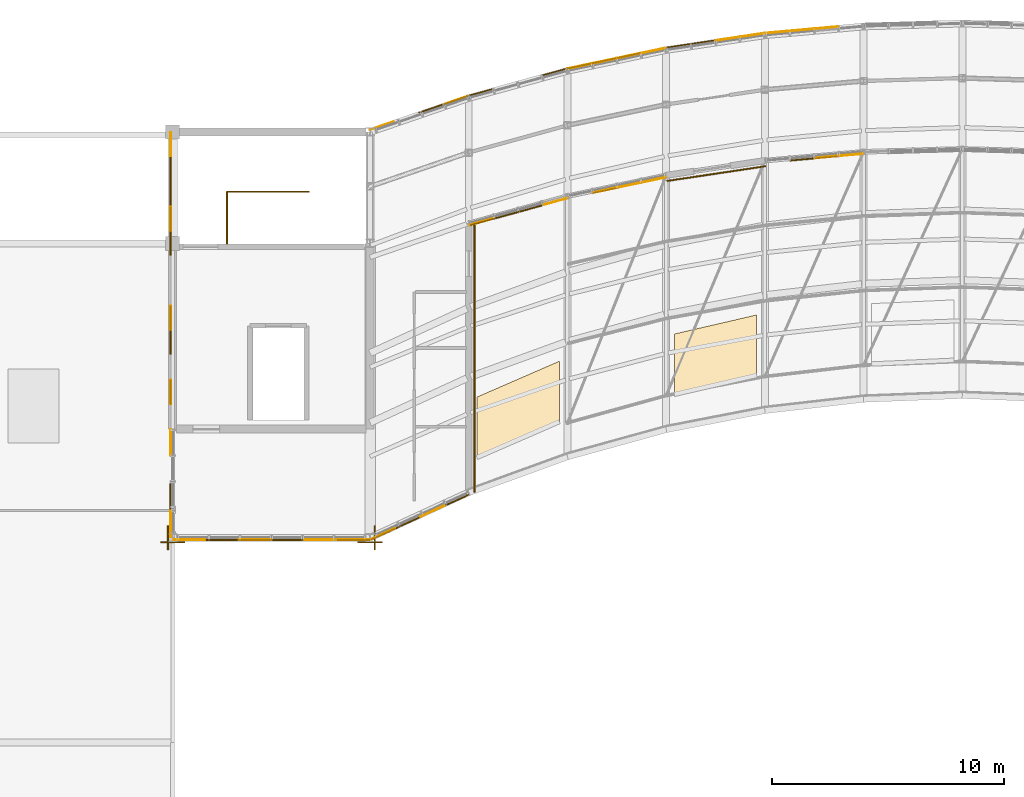
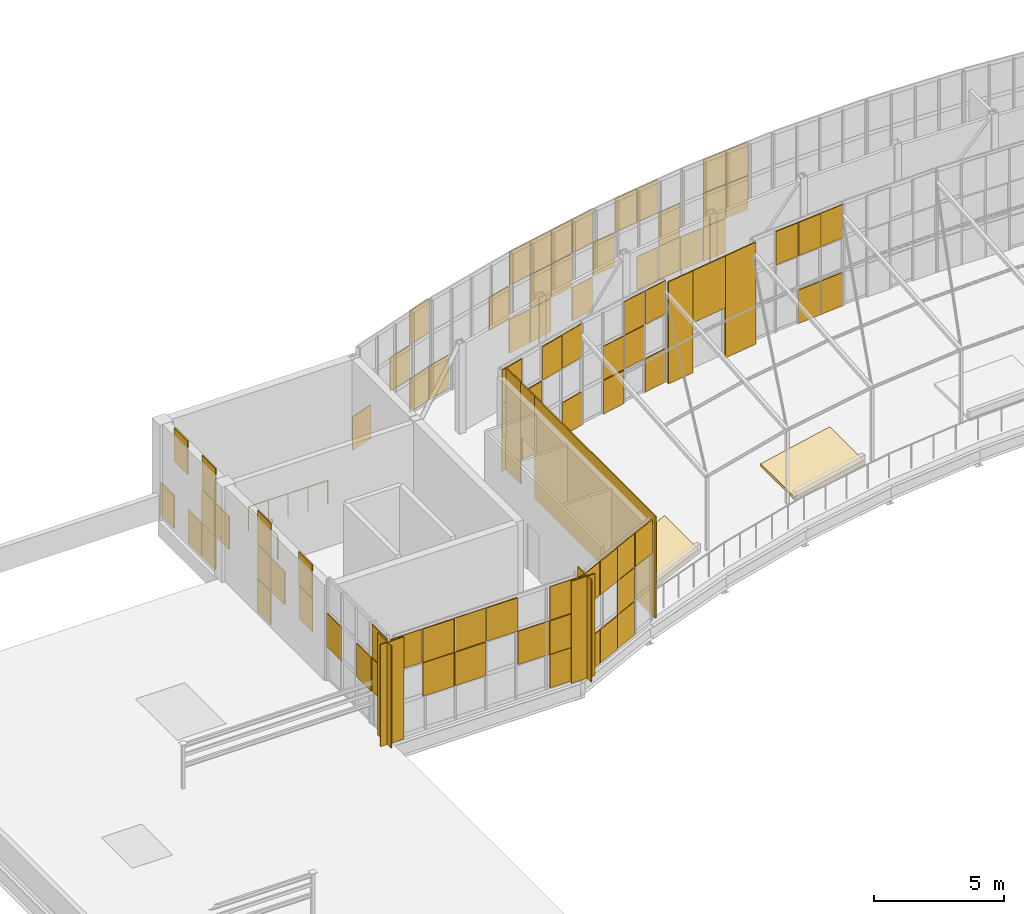
# One storey, part 33 of 35: 93 coverings, 1 railing.
"""IFC4 building model written with IfcOpenShell, lengths in metres."""

import ifcopenshell
import ifcopenshell.guid

model = None  # the IFC model being written
_history = None  # IfcOwnerHistory: only IFC2X3 demands one
_inside = {}  # id of a spatial element -> (the spatial element, [elements in it])
_under = {}  # id of a project, library or spatial element -> (it, [spatial elements below it])
_declared = {}  # id of a project -> (the project, [libraries it declares])
_typed = {}  # id of a type object -> (the type object, [elements of that type])
_made_of = {}  # id of a material, layer set ... -> (it, [elements and type objects made of it])


def new_model(schema):
    """Start an empty IFC model of exactly this schema.

    Asked for "IFC4X3", IfcOpenShell would pick the latest addendum, in which some entities
    have other attributes; the version numbers below select the first issue.
    IFC2X3 requires an IfcOwnerHistory on every rooted entity: one is made here for all.
    """
    global model, _history
    if schema == "IFC4X3":
        model = ifcopenshell.file(schema_version=(4, 3, 0, 0))
    else:
        model = ifcopenshell.file(schema=schema)
    _inside.clear()
    _under.clear()
    _declared.clear()
    _typed.clear()
    _made_of.clear()
    _history = None
    if model.schema == "IFC2X3":
        org = make("IfcOrganization", Name="unknown")
        user = make(
            "IfcPersonAndOrganization",
            ThePerson=make("IfcPerson", FamilyName="unknown"),
            TheOrganization=org,
        )
        app = make(
            "IfcApplication",
            ApplicationDeveloper=org,
            Version="unknown",
            ApplicationFullName="unknown",
            ApplicationIdentifier="unknown",
        )
        _history = make(
            "IfcOwnerHistory",
            OwningUser=user,
            OwningApplication=app,
            ChangeAction="ADDED",
            CreationDate=0,
        )
    return model


def make(cls, **values):
    """One entity of the class cls with the attributes given. An attribute that is None is left unset."""
    return model.create_entity(
        cls, **{name: value for name, value in values.items() if value is not None}
    )


def rooted(cls, **values):
    """An entity with a GlobalId (a new one), such as an element, a storey or a relation."""
    return make(cls, GlobalId=ifcopenshell.guid.new(), OwnerHistory=_history, **values)


def si_unit(unit_type, name, prefix=None):
    """IfcSIUnit, for example si_unit("LENGTHUNIT", "METRE", prefix="MILLI")."""
    return make("IfcSIUnit", UnitType=unit_type, Prefix=prefix, Name=name)


def assignment(units):
    """IfcUnitAssignment: the units of a project."""
    return None if units is None else make("IfcUnitAssignment", Units=units)


def point(xyz):
    """IfcCartesianPoint."""
    return None if xyz is None else make("IfcCartesianPoint", Coordinates=xyz)


def direction(xyz):
    """IfcDirection."""
    return None if xyz is None else make("IfcDirection", DirectionRatios=xyz)


def frame(location, z_axis=None, x_axis=None):
    """IfcAxis2Placement3D, a coordinate frame: its origin and axes. An axis left out is left unset."""
    return make(
        "IfcAxis2Placement3D",
        Location=point(location),
        Axis=direction(z_axis),
        RefDirection=direction(x_axis),
    )


def frame_2d(location, x_axis=None):
    """IfcAxis2Placement2D, a coordinate frame in the plane: its origin and x axis."""
    return make(
        "IfcAxis2Placement2D", Location=point(location), RefDirection=direction(x_axis)
    )


def origin():
    """The frame at (0, 0, 0) with its axes left unset."""
    return frame((0.0, 0.0, 0.0))


def origin_2d():
    """The frame at (0, 0) in the plane with its x axis left unset."""
    return frame_2d((0.0, 0.0))


def place(relative_to, where):
    """IfcLocalPlacement: puts the frame where relative to a parent placement (None: the world)."""
    return make(
        "IfcLocalPlacement", PlacementRelTo=relative_to, RelativePlacement=where
    )


def context(
    kind, dimensions, precision=None, world=None, true_north=None, identifier=None
):
    """IfcGeometricRepresentationContext, for example the 3D "Model" context."""
    return make(
        "IfcGeometricRepresentationContext",
        ContextIdentifier=identifier,
        ContextType=kind,
        CoordinateSpaceDimension=dimensions,
        Precision=precision,
        WorldCoordinateSystem=world,
        TrueNorth=true_north,
    )


def subcontext(parent, identifier, kind, view, scale=None):
    """IfcGeometricRepresentationSubContext, for example "Body" below "Model"."""
    return make(
        "IfcGeometricRepresentationSubContext",
        ContextIdentifier=identifier,
        ContextType=kind,
        ParentContext=parent,
        TargetScale=scale,
        TargetView=view,
    )


def project(units=None, contexts=None):
    """IfcProject with its units and contexts."""
    return rooted(
        "IfcProject",
        Name="project",
        RepresentationContexts=contexts,
        UnitsInContext=assignment(units),
    )


def spatial(cls, under=None, at=None, **own):
    """A site, building, storey or space (cls), placed at a placement, below another one or the project."""
    s = rooted(cls, ObjectPlacement=at, **own)
    if under is not None:
        _under.setdefault(under.id(), (under, []))[1].append(s)
    return s


def polyline(points):
    """IfcPolyline through the points."""
    return make("IfcPolyline", Points=[point(p) for p in points])


def profile(cls, at=None, kind="AREA", **sizes):
    """A parametric profile (cls). Its sizes go by their IFC names, for example OverallWidth=200.0."""
    return make(cls, ProfileType=kind, Position=at, **sizes)


def rectangle(**sizes):
    """IfcRectangleProfileDef."""
    return profile("IfcRectangleProfileDef", **sizes)


def circle(**sizes):
    """IfcCircleProfileDef."""
    return profile("IfcCircleProfileDef", **sizes)


def outline(outer, holes=None, kind="AREA"):
    """IfcArbitraryClosedProfileDef: a profile drawn as a closed curve; with holes, ...WithVoids."""
    if holes is None:
        return make("IfcArbitraryClosedProfileDef", ProfileType=kind, OuterCurve=outer)
    return make(
        "IfcArbitraryProfileDefWithVoids",
        ProfileType=kind,
        OuterCurve=outer,
        InnerCurves=holes,
    )


def extrude(swept, where, along, depth):
    """IfcExtrudedAreaSolid: the profile swept, set in the frame where, extruded along a direction by depth."""
    return make(
        "IfcExtrudedAreaSolid",
        SweptArea=swept,
        Position=where,
        ExtrudedDirection=direction(along),
        Depth=depth,
    )


def shape(context_of_items, identifier, shape_type, items):
    """IfcShapeRepresentation: the items that make up one representation, for example the "Body"."""
    return make(
        "IfcShapeRepresentation",
        ContextOfItems=context_of_items,
        RepresentationIdentifier=identifier,
        RepresentationType=shape_type,
        Items=items,
    )


def material(Name=None, Category=None):
    """IfcMaterial."""
    return make("IfcMaterial", Name=Name, Category=Category)


def layer(
    of_material, thickness, ventilated=None, Name=None, Category=None, Priority=None
):
    """IfcMaterialLayer: one layer of a wall or slab, of a material (None: an air gap)."""
    return make(
        "IfcMaterialLayer",
        Material=of_material,
        LayerThickness=thickness,
        IsVentilated=ventilated,
        Name=Name,
        Category=Category,
        Priority=Priority,
    )


def layer_set(layers, Name=None):
    """IfcMaterialLayerSet."""
    return make("IfcMaterialLayerSet", MaterialLayers=layers, LayerSetName=Name)


def made_of(thing, what):
    """Note that an element or type object is made of a material, layer set ...; save() writes the relation."""
    if what is not None:
        _made_of.setdefault(what.id(), (what, []))[1].append(thing)
    return thing


def type_object(cls, material=None, **own):
    """A type object (cls), such as IfcWallType, which elements share."""
    return made_of(rooted(cls, **own), material)


def element(
    cls,
    number,
    at=None,
    inside=None,
    cuts=None,
    type_object=None,
    material=None,
    context=None,
    identifier="Body",
    shape_type=None,
    held_by="IfcProductDefinitionShape",
    body=None,
    shapes=None,
    **own,
):
    """One element of the class cls, such as IfcWall. Its Tag is "e" and its number.

    at: its placement. inside: the storey or other place that contains it. cuts: it is an
    opening in that element (IfcRelVoidsElement). A single representation is given by context,
    identifier, shape_type and body (its items); several are given by shapes. held_by: the class
    of the entity that holds the representations. save() writes the other relations.
    """
    e = rooted(cls, Tag="e%d" % number, ObjectPlacement=at, **own)
    if body is not None:
        shapes = [shape(context, identifier, shape_type, body)]
    if shapes is not None:
        e.Representation = make(held_by, Representations=shapes)
    if inside is not None:
        _inside.setdefault(inside.id(), (inside, []))[1].append(e)
    if cuts is not None:
        rooted(
            "IfcRelVoidsElement", RelatingBuildingElement=cuts, RelatedOpeningElement=e
        )
    if type_object is not None:
        _typed.setdefault(type_object.id(), (type_object, []))[1].append(e)
    return made_of(e, material)


def aggregate(whole, parts):
    """IfcRelAggregates: a whole, such as a stair, and the parts it consists of."""
    return rooted("IfcRelAggregates", RelatingObject=whole, RelatedObjects=parts)


def save(model, path):
    """Write the relations noted so far, then the file.

    IfcRelAggregates (storeys below a building ...), IfcRelContainedInSpatialStructure (elements
    in a storey), IfcRelDefinesByType, IfcRelAssociatesMaterial and IfcRelDeclares: one each for
    every whole, place, type object, material and project.
    """
    for whole, parts in _under.values():
        aggregate(whole, parts)
    for where, things in _inside.values():
        rooted(
            "IfcRelContainedInSpatialStructure",
            RelatedElements=things,
            RelatingStructure=where,
        )
    for kind, things in _typed.values():
        rooted("IfcRelDefinesByType", RelatedObjects=things, RelatingType=kind)
    for what, things in _made_of.values():
        rooted("IfcRelAssociatesMaterial", RelatedObjects=things, RelatingMaterial=what)
    for by, libraries in _declared.values():
        rooted("IfcRelDeclares", RelatingContext=by, RelatedDefinitions=libraries)
    model.write(path)


model = new_model("IFC4")

# Units and contexts
model_context = context("Model", 3, precision=1e-05, world=origin(), true_north=direction((0.0, 1.0)))
body_context = subcontext(model_context, "Body", "Model", "MODEL_VIEW")
ifc_project = project(units=[si_unit("LENGTHUNIT", "METRE"), si_unit("AREAUNIT", "SQUARE_METRE"), si_unit("VOLUMEUNIT", "CUBIC_METRE"), si_unit("PLANEANGLEUNIT", "RADIAN"), si_unit("MASSUNIT", "GRAM", prefix="KILO")], contexts=[model_context])

# Site, building, storey
site_placement = place(None, origin())
site = spatial("IfcSite", under=ifc_project, at=site_placement, CompositionType="ELEMENT")
building_placement = place(site_placement, origin())
building = spatial("IfcBuilding", under=site, at=building_placement, Name="Solvikara Media Centre", CompositionType="ELEMENT")
storey_placement = place(building_placement, frame((0.0, 0.0, 29.39990234375)))
storey = spatial("IfcBuildingStorey", under=building, at=storey_placement, Name="L06", CompositionType="ELEMENT", Elevation=29.39990234375)

# Coverings
ifc_material_1 = material(Name="GFRC white mineral architectural rainscreen panel")
ifc_layer_1 = layer(ifc_material_1, 0.050048828125)
ifc_layer_set_1 = layer_set([ifc_layer_1], Name="GFRC white mineral architectural rainscreen panel")
covering_type_1 = type_object("IfcCoveringType", Name="CV-04", PredefinedType="CLADDING", material=ifc_layer_set_1)
for number, where, z_axis, x_axis, name in (
    (1, (67.800048828125, 19.323974609375, 0.0), (0.0, 0.0, 1.0), (0.0, -1.0, 0.0), "PIL-L06-169"),
    (2, (68.0, 19.1240234375, 0.0), (0.0, 0.0, 1.0), (1.0, 0.0, 0.0), "PIL-L06-170"),
    (3, (76.699951171875, 19.323974609375, 0.0), (0.0, 0.0, 1.0), (0.0, 1.0, 0.0), "PIL-L06-183"),
    (4, (76.5, 19.1240234375, 0.0), (0.0, 0.0, 1.0), (1.0, 0.0, 0.0), "PIL-L06-184"),
):
    element("IfcCovering", number, at=place(storey_placement, frame(where, z_axis=z_axis, x_axis=x_axis)), inside=storey, type_object=covering_type_1, Name=name, PredefinedType="CLADDING", context=body_context, shape_type="SweptSolid", body=[
        extrude(rectangle(XDim=1.0400390625, YDim=0.050048828125, at=origin_2d()), origin(), (0.0, 0.0, 1.0), 4.800048828125),
    ])
for number, where, z_axis, x_axis, name in (
    (5, (79.1259765625, 37.802001953125, 1.615234375), (0.0, 0.0, 1.0), (0.945807995037, 0.324726402566, 0.0), "CW-L06-NARC-00-SF-21"),
    (6, (80.18798828125, 38.166015625, 3.21484375), (0.0, 0.0, 1.0), (0.945807995037, 0.324726402566, 0.0), "CW-L06-NARC-00-SF-32"),
):
    element("IfcCovering", number, at=place(storey_placement, frame(where, z_axis=z_axis, x_axis=x_axis)), inside=storey, type_object=covering_type_1, Name=name, PredefinedType="CLADDING", context=body_context, shape_type="SweptSolid", body=[
        extrude(rectangle(XDim=1.093017578125, YDim=0.050048828125, at=origin_2d()), origin(), (0.0, 0.0, 1.0), 1.570068359375),
    ])
covering_1_placement = place(storey_placement, frame((81.256103515625, 38.4970703125, 0.01513671875), z_axis=(0.0, 0.0, 1.0), x_axis=(0.964289807992, 0.26484932736, 0.0)))
element("IfcCovering", 7, at=covering_1_placement, inside=storey, type_object=covering_type_1, Name="CW-L06-NARC-01-SF-00", PredefinedType="CLADDING", context=body_context, shape_type="SweptSolid", body=[
    extrude(rectangle(XDim=1.072021484375, YDim=0.050048828125, at=origin_2d()), origin(), (0.0, 0.0, 1.0), 1.570068359375),
])
covering_2_placement = place(storey_placement, frame((84.444091796875, 39.3759765625, 1.615234375), z_axis=(0.0, 0.0, 1.0), x_axis=(0.964049041264, 0.265724379832, 0.0)))
element("IfcCovering", 8, at=covering_2_placement, inside=storey, type_object=covering_type_1, Name="CW-L06-NARC-01-SF-31", PredefinedType="CLADDING", context=body_context, shape_type="SweptSolid", body=[
    extrude(rectangle(XDim=1.072998046875, YDim=0.050048828125, at=origin_2d()), origin(), (0.0, 0.0, 1.0), 1.570068359375),
])
for number, where, z_axis, x_axis, name in (
    (9, (85.511962890625, 39.635009765625, 0.01513671875), (0.0, 0.0, 1.0), (0.978447760018, 0.206494505776, 0.0), "CW-L06-NARC-02-SF-00"),
    (10, (86.574951171875, 39.860107421875, 1.615234375), (0.0, 0.0, 1.0), (0.978447760018, 0.206494505776, 0.0), "CW-L06-NARC-02-SF-11"),
    (11, (87.636962890625, 40.083984375, 3.21484375), (0.0, 0.0, 1.0), (0.978447760018, 0.206494505776, 0.0), "CW-L06-NARC-02-SF-22"),
):
    element("IfcCovering", number, at=place(storey_placement, frame(where, z_axis=z_axis, x_axis=x_axis)), inside=storey, type_object=covering_type_1, Name=name, PredefinedType="CLADDING", context=body_context, shape_type="SweptSolid", body=[
        extrude(rectangle(XDim=1.055908203125, YDim=0.050048828125, at=origin_2d()), origin(), (0.0, 0.0, 1.0), 1.570068359375),
    ])
covering_3_placement = place(storey_placement, frame((89.76806640625, 40.501953125, 1.615234375), z_axis=(0.0, 0.0, 1.0), x_axis=(0.988930567215, 0.148379018826, 0.0)))
element("IfcCovering", 12, at=covering_3_placement, inside=storey, type_object=covering_type_1, Name="CW-L06-NARC-03-SF-01", PredefinedType="CLADDING", context=body_context, shape_type="SweptSolid", body=[
    extrude(rectangle(XDim=1.044921875, YDim=0.050048828125, at=origin_2d()), origin(), (0.0, 0.0, 1.0), 1.570068359375),
])
covering_4_placement = place(storey_placement, frame((90.8291015625, 40.659912109375, 3.21484375), z_axis=(0.0, 0.0, 1.0), x_axis=(0.989069971909, 0.147446907963, 0.0)))
element("IfcCovering", 13, at=covering_4_placement, inside=storey, type_object=covering_type_1, Name="CW-L06-NARC-03-SF-12", PredefinedType="CLADDING", context=body_context, shape_type="SweptSolid", body=[
    extrude(rectangle(XDim=1.0439453125, YDim=0.050048828125, at=origin_2d()), origin(), (0.0, 0.0, 1.0), 1.570068359375),
])
for number, where, z_axis, x_axis, name in (
    (14, (81.305908203125, 32.916015625, 1.615234375), (0.0, 0.0, 1.0), (0.964049041264, 0.265724379832, 0.0), "CW-L06-GALS-01-SF-01"),
    (15, (81.305908203125, 32.916015625, 3.21484375), (0.0, 0.0, 1.0), (0.964049041264, 0.265724379832, 0.0), "CW-L06-GALS-01-SF-02"),
    (16, (82.368896484375, 33.208984375, 0.01513671875), (0.0, 0.0, 1.0), (0.964049041264, 0.265724379832, 0.0), "CW-L06-GALS-01-SF-10"),
    (17, (82.368896484375, 33.208984375, 1.615234375), (0.0, 0.0, 1.0), (0.964049041264, 0.265724379832, 0.0), "CW-L06-GALS-01-SF-11"),
    (18, (83.430908203125, 33.501953125, 3.21484375), (0.0, 0.0, 1.0), (0.964049041264, 0.265724379832, 0.0), "CW-L06-GALS-01-SF-22"),
):
    element("IfcCovering", number, at=place(storey_placement, frame(where, z_axis=z_axis, x_axis=x_axis)), inside=storey, type_object=covering_type_1, Name=name, PredefinedType="CLADDING", context=body_context, shape_type="SweptSolid", body=[
        extrude(rectangle(XDim=1.072998046875, YDim=0.050048828125, at=origin_2d()), origin(), (0.0, 0.0, 1.0), 1.570068359375),
    ])
covering_5_placement = place(storey_placement, frame((86.613037109375, 34.27587890625, 0.01513671875), z_axis=(0.0, 0.0, 1.0), x_axis=(0.978447760018, 0.206494505776, 0.0)))
element("IfcCovering", 19, at=covering_5_placement, inside=storey, type_object=covering_type_1, Name="CW-L06-GALS-02-SF-10", PredefinedType="CLADDING", context=body_context, shape_type="SweptSolid", body=[
    extrude(rectangle(XDim=1.055908203125, YDim=0.050048828125, at=origin_2d()), origin(), (0.0, 0.0, 1.0), 1.570068359375),
])
covering_6_placement = place(storey_placement, frame((89.8798828125, 34.77490234375, 0.0), z_axis=(0.0, 0.0, 1.0), x_axis=(0.989064824438, 0.147481432928, 0.0)))
element("IfcCovering", 20, at=covering_6_placement, inside=storey, type_object=covering_type_1, Name="L06-GALS03-CV-F01", PredefinedType="CLADDING", context=body_context, shape_type="SweptSolid", body=[
    extrude(rectangle(XDim=1.199951171875, YDim=0.050048828125, at=origin_2d()), origin(), (0.0, 0.0, 1.0), 4.800048828125),
])
covering_7_placement = place(storey_placement, frame((91.263916015625, 34.98193359375, 2.35009765625), z_axis=(0.0, 0.0, 1.0), x_axis=(0.989054525882, 0.14755048232, 0.0)))
element("IfcCovering", 21, at=covering_7_placement, inside=storey, type_object=covering_type_1, Name="L06-GALS03-CV-D02", PredefinedType="CLADDING", context=body_context, shape_type="SweptSolid", body=[
    extrude(rectangle(XDim=1.60009765625, YDim=0.050048828125, at=origin_2d()), origin(), (0.0, 0.0, 1.0), 2.449951171875),
])
covering_8_placement = place(storey_placement, frame((92.7958984375, 35.2109375, 0.0), z_axis=(0.0, 0.0, 1.0), x_axis=(0.988951275194, 0.148240936625, 0.0)))
element("IfcCovering", 22, at=covering_8_placement, inside=storey, type_object=covering_type_1, Name="L06-GALS03-CV-F03", PredefinedType="CLADDING", context=body_context, shape_type="SweptSolid", body=[
    extrude(rectangle(XDim=1.498046875, YDim=0.050048828125, at=origin_2d()), origin(), (0.0, 0.0, 1.0), 4.800048828125),
])
covering_9_placement = place(storey_placement, frame((95.10205078125, 35.612060546875, 3.21484375), z_axis=(0.0, 0.0, 1.0), x_axis=(0.996050368938, 0.088789991203, 0.0)))
element("IfcCovering", 23, at=covering_9_placement, inside=storey, type_object=covering_type_1, Name="CW-L06-GALS-04-SF-12", PredefinedType="CLADDING", context=body_context, shape_type="SweptSolid", body=[
    extrude(rectangle(XDim=1.035888671875, YDim=0.050048828125, at=origin_2d()), origin(), (0.0, 0.0, 1.0), 1.570068359375),
])
covering_10_placement = place(storey_placement, frame((96.1650390625, 35.7060546875, 3.21484375), z_axis=(0.0, 0.0, 1.0), x_axis=(0.996058113534, 0.088703069073, 0.0)))
element("IfcCovering", 24, at=covering_10_placement, inside=storey, type_object=covering_type_1, Name="CW-L06-GALS-04-SF-22", PredefinedType="CLADDING", context=body_context, shape_type="SweptSolid", body=[
    extrude(rectangle(XDim=1.037109375, YDim=0.050048828125, at=origin_2d()), origin(), (0.0, 0.0, 1.0), 1.570068359375),
])
for number, where, z_axis, x_axis, name in (
    (25, (70.125, 19.22998046875, 1.615234375), (0.0, 0.0, 1.0), (1.0, 0.0, 0.0), "CW-L06-BHWS-SF-11"),
    (26, (70.125, 19.22998046875, 3.21484375), (0.0, 0.0, 1.0), (1.0, 0.0, 0.0), "CW-L06-BHWS-SF-12"),
):
    element("IfcCovering", number, at=place(storey_placement, frame(where, z_axis=z_axis, x_axis=x_axis)), inside=storey, type_object=covering_type_1, Name=name, PredefinedType="CLADDING", context=body_context, shape_type="SweptSolid", body=[
        extrude(rectangle(XDim=1.385986328125, YDim=0.050048828125, at=origin_2d()), origin(), (0.0, 0.0, 1.0), 1.570068359375),
    ])
for number, where, z_axis, x_axis, name in (
    (27, (71.541015625, 19.22998046875, 1.615234375), (0.0, 0.0, 1.0), (1.0, 0.0, 0.0), "CW-L06-BHWS-SF-21"),
    (28, (72.958984375, 19.22998046875, 3.21484375), (0.0, 0.0, 1.0), (1.0, 0.0, 0.0), "CW-L06-BHWS-SF-32"),
    (29, (75.791015625, 19.22998046875, 1.615234375), (0.0, 0.0, 1.0), (1.0, 0.0, 0.0), "CW-L06-BHWS-SF-51"),
):
    element("IfcCovering", number, at=place(storey_placement, frame(where, z_axis=z_axis, x_axis=x_axis)), inside=storey, type_object=covering_type_1, Name=name, PredefinedType="CLADDING", context=body_context, shape_type="SweptSolid", body=[
        extrude(rectangle(XDim=1.386962890625, YDim=0.050048828125, at=origin_2d()), origin(), (0.0, 0.0, 1.0), 1.570068359375),
    ])
for number, where, z_axis, x_axis, name in (
    (30, (77.06396484375, 19.47998046875, 0.01513671875), (0.0, 0.0, 1.0), (0.908522763286, 0.417835360629, 0.0), "CW-L06-SARC-00-SF-00"),
    (31, (78.1259765625, 19.968994140625, 0.01513671875), (0.0, 0.0, 1.0), (0.908522763286, 0.417835360629, 0.0), "CW-L06-SARC-00-SF-10"),
    (32, (78.1259765625, 19.968994140625, 3.21484375), (0.0, 0.0, 1.0), (0.908522763286, 0.417835360629, 0.0), "CW-L06-SARC-00-SF-12"),
    (33, (80.2509765625, 20.946044921875, 3.21484375), (0.0, 0.0, 1.0), (0.908522763286, 0.417835360629, 0.0), "CW-L06-SARC-00-SF-32"),
):
    element("IfcCovering", number, at=place(storey_placement, frame(where, z_axis=z_axis, x_axis=x_axis)), inside=storey, type_object=covering_type_1, Name=name, PredefinedType="CLADDING", context=body_context, shape_type="SweptSolid", body=[
        extrude(rectangle(XDim=1.138916015625, YDim=0.050048828125, at=origin_2d()), origin(), (0.0, 0.0, 1.0), 1.570068359375),
    ])
covering_11_placement = place(storey_placement, frame((80.9951171875, 25.928955078125, 0.0), z_axis=(0.0, 0.0, 1.0), x_axis=(0.0, 1.0, 0.0)))
element("IfcCovering", 34, at=covering_11_placement, inside=storey, type_object=covering_type_1, Name="L06-PAVWE-CV-F01", PredefinedType="CLADDING", context=body_context, shape_type="SweptSolid", body=[
    extrude(rectangle(XDim=9.300048828125, YDim=0.050048828125, at=origin_2d()), origin(), (0.0, 0.0, 1.0), 4.800048828125),
])
covering_12_placement = place(storey_placement, frame((80.9951171875, 31.12890625, 2.25), z_axis=(0.0, 0.0, 1.0), x_axis=(0.0, 1.0, 0.0)))
element("IfcCovering", 35, at=covering_12_placement, inside=storey, type_object=covering_type_1, Name="L06-PAVWE-CV-D02", PredefinedType="CLADDING", context=body_context, shape_type="SweptSolid", body=[
    extrude(rectangle(XDim=1.10009765625, YDim=0.050048828125, at=origin_2d()), origin(), (0.0, 0.0, 1.0), 2.550048828125),
])
covering_13_placement = place(storey_placement, frame((80.9951171875, 32.27001953125, 0.0), z_axis=(0.0, 0.0, 1.0), x_axis=(0.0, 1.0, 0.0)))
element("IfcCovering", 36, at=covering_13_placement, inside=storey, type_object=covering_type_1, Name="L06-PAVWE-CV-F03", PredefinedType="CLADDING", context=body_context, shape_type="SweptSolid", body=[
    extrude(rectangle(XDim=1.180908203125, YDim=0.050048828125, at=origin_2d()), origin(), (0.0, 0.0, 1.0), 4.800048828125),
])
covering_14_placement = place(storey_placement, frame((67.906005859375, 21.077880859375, 1.615234375), z_axis=(0.0, 0.0, 1.0), x_axis=(0.0, 1.0, 0.0)))
element("IfcCovering", 37, at=covering_14_placement, inside=storey, type_object=covering_type_1, Name="CW-L06-BHWW-SF-11", PredefinedType="CLADDING", context=body_context, shape_type="SweptSolid", body=[
    extrude(rectangle(XDim=1.138916015625, YDim=0.050048828125, at=origin_2d()), origin(), (0.0, 0.0, 1.0), 1.570068359375),
])
covering_15_placement = place(storey_placement, frame((67.906005859375, 25.60009765625, 3.21484375), z_axis=(0.0, 0.0, 1.0), x_axis=(0.0, 1.0, 0.0)))
element("IfcCovering", 38, at=covering_15_placement, inside=storey, type_object=covering_type_1, Name="SHM-L06-C3W-SF-12", PredefinedType="CLADDING", context=body_context, shape_type="SweptSolid", body=[
    extrude(rectangle(XDim=1.035888671875, YDim=0.050048828125, at=origin_2d()), origin(), (0.0, 0.0, 1.0), 1.570068359375),
])
covering_16_placement = place(storey_placement, frame((67.906005859375, 27.73291015625, 1.615234375), z_axis=(0.0, 0.0, 1.0), x_axis=(0.0, 1.0, 0.0)))
element("IfcCovering", 39, at=covering_16_placement, inside=storey, type_object=covering_type_1, Name="SHM-L06-C3W-SF-31", PredefinedType="CLADDING", context=body_context, shape_type="SweptSolid", body=[
    extrude(rectangle(XDim=1.037109375, YDim=0.050048828125, at=origin_2d()), origin(), (0.0, 0.0, 1.0), 1.570068359375),
])
for number, where, z_axis, x_axis, name in (
    (40, (67.906005859375, 28.800048828125, 0.01513671875), (0.0, 0.0, 1.0), (0.0, 1.0, 0.0), "SHM-L06-C3W-SF-40"),
    (41, (67.906005859375, 32.0, 1.615234375), (0.0, 0.0, 1.0), (0.0, 1.0, 0.0), "SHM-L06-C3W-SF-71"),
):
    element("IfcCovering", number, at=place(storey_placement, frame(where, z_axis=z_axis, x_axis=x_axis)), inside=storey, type_object=covering_type_1, Name=name, PredefinedType="CLADDING", context=body_context, shape_type="SweptSolid", body=[
        extrude(rectangle(XDim=1.035888671875, YDim=0.050048828125, at=origin_2d()), origin(), (0.0, 0.0, 1.0), 1.570068359375),
    ])
for number, where, z_axis, x_axis, name in (
    (42, (67.906005859375, 33.06689453125, 1.615234375), (0.0, 0.0, 1.0), (0.0, 1.0, 0.0), "SHM-L06-C3W-SF-81"),
    (43, (67.906005859375, 34.133056640625, 0.01513671875), (0.0, 0.0, 1.0), (0.0, 1.0, 0.0), "SHM-L06-C3W-SF-90"),
):
    element("IfcCovering", number, at=place(storey_placement, frame(where, z_axis=z_axis, x_axis=x_axis)), inside=storey, type_object=covering_type_1, Name=name, PredefinedType="CLADDING", context=body_context, shape_type="SweptSolid", body=[
        extrude(rectangle(XDim=1.037109375, YDim=0.050048828125, at=origin_2d()), origin(), (0.0, 0.0, 1.0), 1.570068359375),
    ])
covering_17_placement = place(storey_placement, frame((67.906005859375, 35.199951171875, 3.21484375), z_axis=(0.0, 0.0, 1.0), x_axis=(0.0, 1.0, 0.0)))
element("IfcCovering", 44, at=covering_17_placement, inside=storey, type_object=covering_type_1, Name="SHM-L06-C3W-SF-102", PredefinedType="CLADDING", context=body_context, shape_type="SweptSolid", body=[
    extrude(rectangle(XDim=1.035888671875, YDim=0.050048828125, at=origin_2d()), origin(), (0.0, 0.0, 1.0), 1.570068359375),
])
ifc_material_2 = material(Name="Insulated silver-pearl glass spandrel panel", Category="glass")
ifc_layer_2 = layer(ifc_material_2, 0.034912109375)
ifc_layer_set_2 = layer_set([ifc_layer_2], Name="Insulated silver-pearl glass spandrel panel")
covering_type_2 = type_object("IfcCoveringType", Name="CV-06", PredefinedType="CLADDING", material=ifc_layer_set_2)
covering_18_placement = place(storey_placement, frame((77.00390625, 37.06201171875, 0.01513671875), z_axis=(0.0, 0.0, 1.0), x_axis=(0.945529939496, 0.325535149434, 0.0)))
element("IfcCovering", 45, at=covering_18_placement, inside=storey, type_object=covering_type_2, Name="CW-L06-NARC-00-PX-00", PredefinedType="CLADDING", context=body_context, shape_type="SweptSolid", body=[
    extrude(rectangle(XDim=1.093994140625, YDim=0.034912109375, at=origin_2d()), origin(), (0.0, 0.0, 1.0), 1.570068359375),
])
covering_19_placement = place(storey_placement, frame((80.19189453125, 38.156982421875, 0.01513671875), z_axis=(0.0, 0.0, 1.0), x_axis=(0.945626486098, 0.325254590729, 0.0)))
element("IfcCovering", 46, at=covering_19_placement, inside=storey, type_object=covering_type_2, Name="CW-L06-NARC-00-PX-30", PredefinedType="CLADDING", context=body_context, shape_type="SweptSolid", body=[
    extrude(rectangle(XDim=1.094970703125, YDim=0.034912109375, at=origin_2d()), origin(), (0.0, 0.0, 1.0), 1.570068359375),
])
for number, where, z_axis, x_axis, name in (
    (47, (85.512939453125, 39.6259765625, 3.21484375), (0.0, 0.0, 1.0), (0.978256328953, 0.207399505455, 0.0), "CW-L06-NARC-02-PX-02"),
    (48, (86.576904296875, 39.85009765625, 0.01513671875), (0.0, 0.0, 1.0), (0.978447760018, 0.206494505776, 0.0), "CW-L06-NARC-02-PX-10"),
    (49, (86.576904296875, 39.85009765625, 3.21484375), (0.0, 0.0, 1.0), (0.978447760018, 0.206494505776, 0.0), "CW-L06-NARC-02-PX-12"),
    (50, (87.637939453125, 40.074951171875, 1.615234375), (0.0, 0.0, 1.0), (0.978256328953, 0.207399505455, 0.0), "CW-L06-NARC-02-PX-21"),
    (51, (88.701904296875, 40.299072265625, 0.01513671875), (0.0, 0.0, 1.0), (0.978447760018, 0.206494505776, 0.0), "CW-L06-NARC-02-PX-30"),
    (52, (88.701904296875, 40.299072265625, 3.21484375), (0.0, 0.0, 1.0), (0.978447760018, 0.206494505776, 0.0), "CW-L06-NARC-02-PX-32"),
):
    element("IfcCovering", number, at=place(storey_placement, frame(where, z_axis=z_axis, x_axis=x_axis)), inside=storey, type_object=covering_type_2, Name=name, PredefinedType="CLADDING", context=body_context, shape_type="SweptSolid", body=[
        extrude(rectangle(XDim=1.055908203125, YDim=0.034912109375, at=origin_2d()), origin(), (0.0, 0.0, 1.0), 1.570068359375),
    ])
for number, where, z_axis, x_axis, name in (
    (53, (91.89306640625, 40.80908203125, 0.01513671875), (0.0, 0.0, 1.0), (0.989069971909, 0.147446907963, 0.0), "CW-L06-NARC-03-PX-20"),
    (54, (91.89306640625, 40.80908203125, 3.21484375), (0.0, 0.0, 1.0), (0.989069971909, 0.147446907963, 0.0), "CW-L06-NARC-03-PX-22"),
    (55, (92.95703125, 40.968017578125, 0.01513671875), (0.0, 0.0, 1.0), (0.989069971909, 0.147446907963, 0.0), "CW-L06-NARC-03-PX-30"),
    (56, (92.95703125, 40.968017578125, 1.615234375), (0.0, 0.0, 1.0), (0.989069971909, 0.147446907963, 0.0), "CW-L06-NARC-03-PX-31"),
):
    element("IfcCovering", number, at=place(storey_placement, frame(where, z_axis=z_axis, x_axis=x_axis)), inside=storey, type_object=covering_type_2, Name=name, PredefinedType="CLADDING", context=body_context, shape_type="SweptSolid", body=[
        extrude(rectangle(XDim=1.0439453125, YDim=0.034912109375, at=origin_2d()), origin(), (0.0, 0.0, 1.0), 1.570068359375),
    ])
covering_20_placement = place(storey_placement, frame((94.02392578125, 41.094970703125, 0.01513671875), z_axis=(0.0, 0.0, 1.0), x_axis=(0.996050368938, 0.088789991203, 0.0)))
element("IfcCovering", 57, at=covering_20_placement, inside=storey, type_object=covering_type_2, Name="CW-L06-NARC-04-PX-00", PredefinedType="CLADDING", context=body_context, shape_type="SweptSolid", body=[
    extrude(rectangle(XDim=1.035888671875, YDim=0.034912109375, at=origin_2d()), origin(), (0.0, 0.0, 1.0), 1.570068359375),
])
for number, where, z_axis, x_axis, name in (
    (58, (95.0869140625, 41.18896484375, 0.01513671875), (0.0, 0.0, 1.0), (0.996058113534, 0.088703069073, 0.0), "CW-L06-NARC-04-PX-10"),
    (59, (95.0869140625, 41.18896484375, 1.615234375), (0.0, 0.0, 1.0), (0.996058113534, 0.088703069073, 0.0), "CW-L06-NARC-04-PX-11"),
    (60, (95.0869140625, 41.18896484375, 3.21484375), (0.0, 0.0, 1.0), (0.996058113534, 0.088703069073, 0.0), "CW-L06-NARC-04-PX-12"),
):
    element("IfcCovering", number, at=place(storey_placement, frame(where, z_axis=z_axis, x_axis=x_axis)), inside=storey, type_object=covering_type_2, Name=name, PredefinedType="CLADDING", context=body_context, shape_type="SweptSolid", body=[
        extrude(rectangle(XDim=1.037109375, YDim=0.034912109375, at=origin_2d()), origin(), (0.0, 0.0, 1.0), 1.570068359375),
    ])
for number, where, z_axis, x_axis, name in (
    (61, (96.14892578125, 41.282958984375, 1.615234375), (0.0, 0.0, 1.0), (0.996050368938, 0.088789991203, 0.0), "CW-L06-NARC-04-PX-21"),
    (62, (96.14892578125, 41.282958984375, 3.21484375), (0.0, 0.0, 1.0), (0.996050368938, 0.088789991203, 0.0), "CW-L06-NARC-04-PX-22"),
):
    element("IfcCovering", number, at=place(storey_placement, frame(where, z_axis=z_axis, x_axis=x_axis)), inside=storey, type_object=covering_type_2, Name=name, PredefinedType="CLADDING", context=body_context, shape_type="SweptSolid", body=[
        extrude(rectangle(XDim=1.035888671875, YDim=0.034912109375, at=origin_2d()), origin(), (0.0, 0.0, 1.0), 1.570068359375),
    ])
covering_21_placement = place(storey_placement, frame((81.302978515625, 32.925048828125, 0.01513671875), z_axis=(0.0, 0.0, 1.0), x_axis=(0.963984083771, 0.265959933516, 0.0)))
element("IfcCovering", 63, at=covering_21_placement, inside=storey, type_object=covering_type_2, Name="CW-L06-GALS-01-PX-00", PredefinedType="CLADDING", context=body_context, shape_type="SweptSolid", body=[
    extrude(rectangle(XDim=1.072021484375, YDim=0.034912109375, at=origin_2d()), origin(), (0.0, 0.0, 1.0), 1.570068359375),
])
for number, where, z_axis, x_axis, name in (
    (64, (84.490966796875, 33.802978515625, 0.01513671875), (0.0, 0.0, 1.0), (0.964049041264, 0.265724379832, 0.0), "CW-L06-GALS-01-PX-30"),
    (65, (84.490966796875, 33.802978515625, 3.21484375), (0.0, 0.0, 1.0), (0.964049041264, 0.265724379832, 0.0), "CW-L06-GALS-01-PX-32"),
):
    element("IfcCovering", number, at=place(storey_placement, frame(where, z_axis=z_axis, x_axis=x_axis)), inside=storey, type_object=covering_type_2, Name=name, PredefinedType="CLADDING", context=body_context, shape_type="SweptSolid", body=[
        extrude(rectangle(XDim=1.072998046875, YDim=0.034912109375, at=origin_2d()), origin(), (0.0, 0.0, 1.0), 1.570068359375),
    ])
for number, where, z_axis, x_axis, name in (
    (66, (86.612060546875, 34.284912109375, 1.615234375), (0.0, 0.0, 1.0), (0.978256328953, 0.207399505455, 0.0), "CW-L06-GALS-02-PX-11"),
    (67, (87.673095703125, 34.510009765625, 1.615234375), (0.0, 0.0, 1.0), (0.978447760018, 0.206494505776, 0.0), "CW-L06-GALS-02-PX-21"),
    (68, (87.673095703125, 34.510009765625, 3.21484375), (0.0, 0.0, 1.0), (0.978447760018, 0.206494505776, 0.0), "CW-L06-GALS-02-PX-22"),
    (69, (88.737060546875, 34.73388671875, 0.01513671875), (0.0, 0.0, 1.0), (0.978256328953, 0.207399505455, 0.0), "CW-L06-GALS-02-PX-30"),
    (70, (88.737060546875, 34.73388671875, 3.21484375), (0.0, 0.0, 1.0), (0.978256328953, 0.207399505455, 0.0), "CW-L06-GALS-02-PX-32"),
):
    element("IfcCovering", number, at=place(storey_placement, frame(where, z_axis=z_axis, x_axis=x_axis)), inside=storey, type_object=covering_type_2, Name=name, PredefinedType="CLADDING", context=body_context, shape_type="SweptSolid", body=[
        extrude(rectangle(XDim=1.055908203125, YDim=0.034912109375, at=origin_2d()), origin(), (0.0, 0.0, 1.0), 1.570068359375),
    ])
covering_22_placement = place(storey_placement, frame((96.1630859375, 35.716064453125, 0.01513671875), z_axis=(0.0, 0.0, 1.0), x_axis=(0.996058113534, 0.088703069073, 0.0)))
element("IfcCovering", 71, at=covering_22_placement, inside=storey, type_object=covering_type_2, Name="CW-L06-GALS-04-PX-20", PredefinedType="CLADDING", context=body_context, shape_type="SweptSolid", body=[
    extrude(rectangle(XDim=1.037109375, YDim=0.034912109375, at=origin_2d()), origin(), (0.0, 0.0, 1.0), 1.570068359375),
])
for number, where, z_axis, x_axis, name in (
    (72, (97.22607421875, 35.81005859375, 0.01513671875), (0.0, 0.0, 1.0), (0.996050368938, 0.088789991203, 0.0), "CW-L06-GALS-04-PX-30"),
    (73, (97.22607421875, 35.81005859375, 3.21484375), (0.0, 0.0, 1.0), (0.996050368938, 0.088789991203, 0.0), "CW-L06-GALS-04-PX-32"),
):
    element("IfcCovering", number, at=place(storey_placement, frame(where, z_axis=z_axis, x_axis=x_axis)), inside=storey, type_object=covering_type_2, Name=name, PredefinedType="CLADDING", context=body_context, shape_type="SweptSolid", body=[
        extrude(rectangle(XDim=1.035888671875, YDim=0.034912109375, at=origin_2d()), origin(), (0.0, 0.0, 1.0), 1.570068359375),
    ])
for number, where, z_axis, x_axis, name in (
    (74, (68.708984375, 19.239990234375, 3.21484375), (0.0, 0.0, 1.0), (1.0, 0.0, 0.0), "CW-L06-BHWS-PX-02"),
    (75, (71.541015625, 19.239990234375, 3.21484375), (0.0, 0.0, 1.0), (1.0, 0.0, 0.0), "CW-L06-BHWS-PX-22"),
):
    element("IfcCovering", number, at=place(storey_placement, frame(where, z_axis=z_axis, x_axis=x_axis)), inside=storey, type_object=covering_type_2, Name=name, PredefinedType="CLADDING", context=body_context, shape_type="SweptSolid", body=[
        extrude(rectangle(XDim=1.386962890625, YDim=0.034912109375, at=origin_2d()), origin(), (0.0, 0.0, 1.0), 1.570068359375),
    ])
covering_23_placement = place(storey_placement, frame((74.375, 19.239990234375, 1.615234375), z_axis=(0.0, 0.0, 1.0), x_axis=(1.0, 0.0, 0.0)))
element("IfcCovering", 76, at=covering_23_placement, inside=storey, type_object=covering_type_2, Name="CW-L06-BHWS-PX-41", PredefinedType="CLADDING", context=body_context, shape_type="SweptSolid", body=[
    extrude(rectangle(XDim=1.385986328125, YDim=0.034912109375, at=origin_2d()), origin(), (0.0, 0.0, 1.0), 1.570068359375),
])
for number, where, z_axis, x_axis, name in (
    (77, (75.791015625, 19.239990234375, 0.01513671875), (0.0, 0.0, 1.0), (1.0, 0.0, 0.0), "CW-L06-BHWS-PX-50"),
    (78, (75.791015625, 19.239990234375, 3.21484375), (0.0, 0.0, 1.0), (1.0, 0.0, 0.0), "CW-L06-BHWS-PX-52"),
):
    element("IfcCovering", number, at=place(storey_placement, frame(where, z_axis=z_axis, x_axis=x_axis)), inside=storey, type_object=covering_type_2, Name=name, PredefinedType="CLADDING", context=body_context, shape_type="SweptSolid", body=[
        extrude(rectangle(XDim=1.386962890625, YDim=0.034912109375, at=origin_2d()), origin(), (0.0, 0.0, 1.0), 1.570068359375),
    ])
covering_24_placement = place(storey_placement, frame((77.06103515625, 19.489013671875, 3.21484375), z_axis=(0.0, 0.0, 1.0), x_axis=(0.908187010791, 0.418564634711, 0.0)))
element("IfcCovering", 79, at=covering_24_placement, inside=storey, type_object=covering_type_2, Name="CW-L06-SARC-00-PX-02", PredefinedType="CLADDING", context=body_context, shape_type="SweptSolid", body=[
    extrude(rectangle(XDim=1.139892578125, YDim=0.034912109375, at=origin_2d()), origin(), (0.0, 0.0, 1.0), 1.570068359375),
])
for number, where, z_axis, x_axis, name in (
    (80, (79.18603515625, 20.467041015625, 0.01513671875), (0.0, 0.0, 1.0), (0.908522763286, 0.417835360629, 0.0), "CW-L06-SARC-00-PX-20"),
    (81, (79.18603515625, 20.467041015625, 1.615234375), (0.0, 0.0, 1.0), (0.908522763286, 0.417835360629, 0.0), "CW-L06-SARC-00-PX-21"),
    (82, (79.18603515625, 20.467041015625, 3.21484375), (0.0, 0.0, 1.0), (0.908522763286, 0.417835360629, 0.0), "CW-L06-SARC-00-PX-22"),
    (83, (67.916015625, 19.908935546875, 1.615234375), (0.0, 0.0, 1.0), (0.0, 1.0, 0.0), "CW-L06-BHWW-PX-01"),
    (84, (67.916015625, 19.908935546875, 3.21484375), (0.0, 0.0, 1.0), (0.0, 1.0, 0.0), "CW-L06-BHWW-PX-02"),
    (85, (67.916015625, 23.416015625, 1.615234375), (0.0, 0.0, 1.0), (0.0, 1.0, 0.0), "CW-L06-BHWW-PX-31"),
):
    element("IfcCovering", number, at=place(storey_placement, frame(where, z_axis=z_axis, x_axis=x_axis)), inside=storey, type_object=covering_type_2, Name=name, PredefinedType="CLADDING", context=body_context, shape_type="SweptSolid", body=[
        extrude(rectangle(XDim=1.138916015625, YDim=0.034912109375, at=origin_2d()), origin(), (0.0, 0.0, 1.0), 1.570068359375),
    ])
for number, where, z_axis, x_axis, name in (
    (86, (67.916015625, 25.60009765625, 1.615234375), (0.0, 0.0, 1.0), (0.0, 1.0, 0.0), "SHM-L06-C3W-PX-11"),
    (87, (67.916015625, 28.800048828125, 1.615234375), (0.0, 0.0, 1.0), (0.0, 1.0, 0.0), "SHM-L06-C3W-PX-41"),
    (88, (67.916015625, 28.800048828125, 3.21484375), (0.0, 0.0, 1.0), (0.0, 1.0, 0.0), "SHM-L06-C3W-PX-42"),
):
    element("IfcCovering", number, at=place(storey_placement, frame(where, z_axis=z_axis, x_axis=x_axis)), inside=storey, type_object=covering_type_2, Name=name, PredefinedType="CLADDING", context=body_context, shape_type="SweptSolid", body=[
        extrude(rectangle(XDim=1.035888671875, YDim=0.034912109375, at=origin_2d()), origin(), (0.0, 0.0, 1.0), 1.570068359375),
    ])
for number, where, z_axis, x_axis, name in (
    (89, (67.916015625, 33.06689453125, 0.01513671875), (0.0, 0.0, 1.0), (0.0, 1.0, 0.0), "SHM-L06-C3W-PX-80"),
    (90, (67.916015625, 33.06689453125, 3.21484375), (0.0, 0.0, 1.0), (0.0, 1.0, 0.0), "SHM-L06-C3W-PX-82"),
    (91, (67.916015625, 36.26611328125, 0.01513671875), (0.0, 0.0, 1.0), (0.0, 1.0, 0.0), "SHM-L06-C3W-PX-110"),
):
    element("IfcCovering", number, at=place(storey_placement, frame(where, z_axis=z_axis, x_axis=x_axis)), inside=storey, type_object=covering_type_2, Name=name, PredefinedType="CLADDING", context=body_context, shape_type="SweptSolid", body=[
        extrude(rectangle(XDim=1.037109375, YDim=0.034912109375, at=origin_2d()), origin(), (0.0, 0.0, 1.0), 1.570068359375),
    ])
ifc_material_3 = material(Name="Engineered extensive green-roof substrate and membrane")
ifc_layer_3 = layer(ifc_material_3, 0.1201171875)
ifc_layer_set_3 = layer_set([ifc_layer_3], Name="Engineered extensive green-roof substrate and membrane")
covering_type_3 = type_object("IfcCoveringType", Name="CV-07", PredefinedType="ROOFING", material=ifc_layer_set_3)
covering_25_placement = place(storey_placement, origin())
element("IfcCovering", 92, at=covering_25_placement, inside=storey, type_object=covering_type_3, Name="GRN-L06-02", PredefinedType="ROOFING", context=body_context, shape_type="SweptSolid", body=[
    extrude(outline(polyline([(81.10009765625, 22.779052734375), (84.64990234375, 24.323974609375), (84.64990234375, 26.924072265625), (81.10009765625, 25.37890625), (81.10009765625, 22.779052734375)])), origin(), (0.0, 0.0, 1.0), 0.1201171875),
])
covering_26_placement = place(storey_placement, origin())
element("IfcCovering", 93, at=covering_26_placement, inside=storey, type_object=covering_type_3, Name="GRN-L06-04", PredefinedType="ROOFING", context=body_context, shape_type="SweptSolid", body=[
    extrude(outline(polyline([(89.60009765625, 25.49609375), (93.14990234375, 26.318115234375), (93.14990234375, 28.91796875), (89.60009765625, 28.095947265625), (89.60009765625, 25.49609375)])), origin(), (0.0, 0.0, 1.0), 0.1201171875),
])

# Railing
ifc_material_4 = material(Name="Steel S355JR", Category="steel")
railing_type = type_object("IfcRailingType", Name="GR-01", PredefinedType="GUARDRAIL", material=ifc_material_4)
railing_placement = place(storey_placement, frame((70.340087890625, 31.97998046875, 0.0)))
element("IfcRailing", 94, at=railing_placement, inside=storey, type_object=railing_type, Name="GR-C3-L05-W", PredefinedType="GUARDRAIL", context=body_context, shape_type="SweptSolid", body=[
    extrude(circle(Radius=0.02392578125, at=origin_2d()), frame((0.0, 0.0, 1.1259765625), z_axis=(0.0, 1.0, 0.0), x_axis=(-1.0, 0.0, 0.0)), (0.0, 0.0, 1.0), 2.239990234375),
    extrude(circle(Radius=0.02392578125, at=origin_2d()), frame((0.0, 2.239990234375, 1.1259765625), z_axis=(1.0, 0.0, 0.0), x_axis=(0.0, 1.0, 0.0)), (0.0, 0.0, 1.0), 3.52001953125),
    extrude(circle(Radius=0.02099609375, at=origin_2d()), origin(), (0.0, 0.0, 1.0), 1.101806640625),
    extrude(circle(Radius=0.02099609375, at=origin_2d()), frame((0.0, 0.74658203125, 0.0)), (0.0, 0.0, 1.0), 1.101806640625),
    extrude(circle(Radius=0.02099609375, at=origin_2d()), frame((0.0, 1.493408203125, 0.0)), (0.0, 0.0, 1.0), 1.101806640625),
    extrude(circle(Radius=0.02099609375, at=origin_2d()), frame((0.0, 2.239990234375, 0.0)), (0.0, 0.0, 1.0), 1.101806640625),
    extrude(circle(Radius=0.02099609375, at=origin_2d()), frame((0.8798828125, 2.239990234375, 0.0)), (0.0, 0.0, 1.0), 1.101806640625),
    extrude(circle(Radius=0.02099609375, at=origin_2d()), frame((1.760009765625, 2.239990234375, 0.0)), (0.0, 0.0, 1.0), 1.101806640625),
    extrude(circle(Radius=0.02099609375, at=origin_2d()), frame((2.64013671875, 2.239990234375, 0.0)), (0.0, 0.0, 1.0), 1.101806640625),
    extrude(circle(Radius=0.02099609375, at=origin_2d()), frame((3.52001953125, 2.239990234375, 0.0)), (0.0, 0.0, 1.0), 1.101806640625),
])

save(model, "model.ifc")
